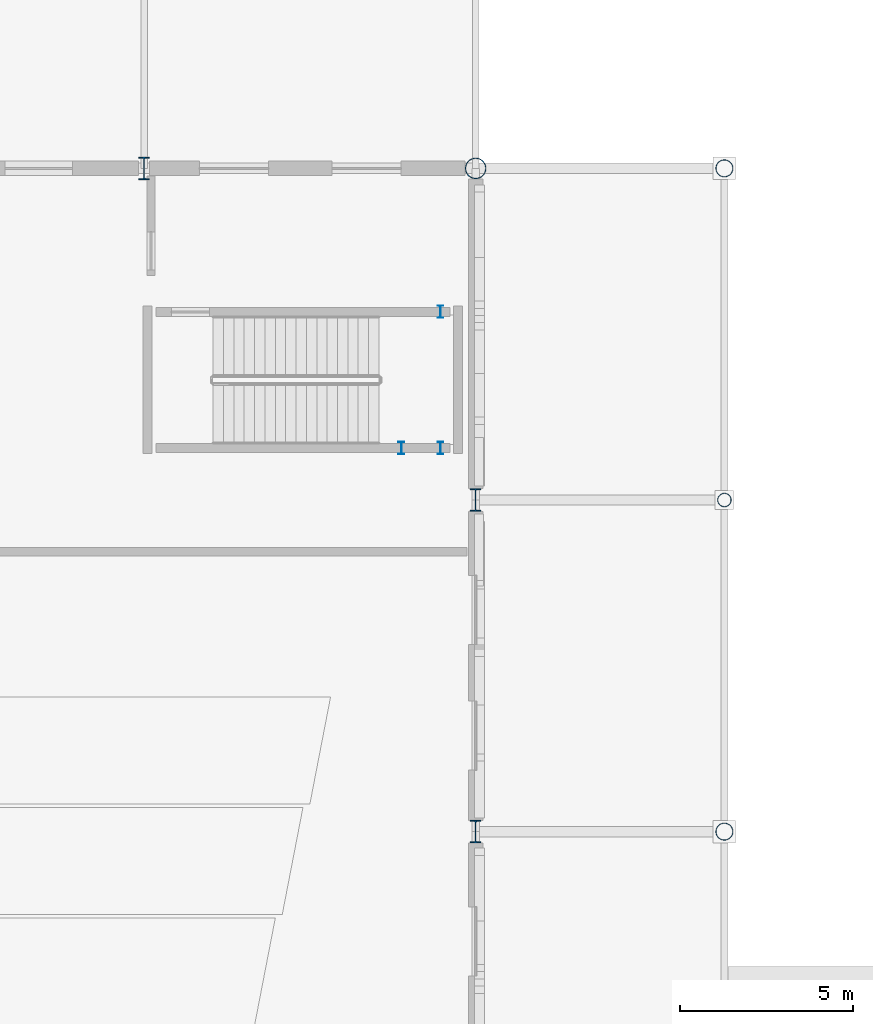
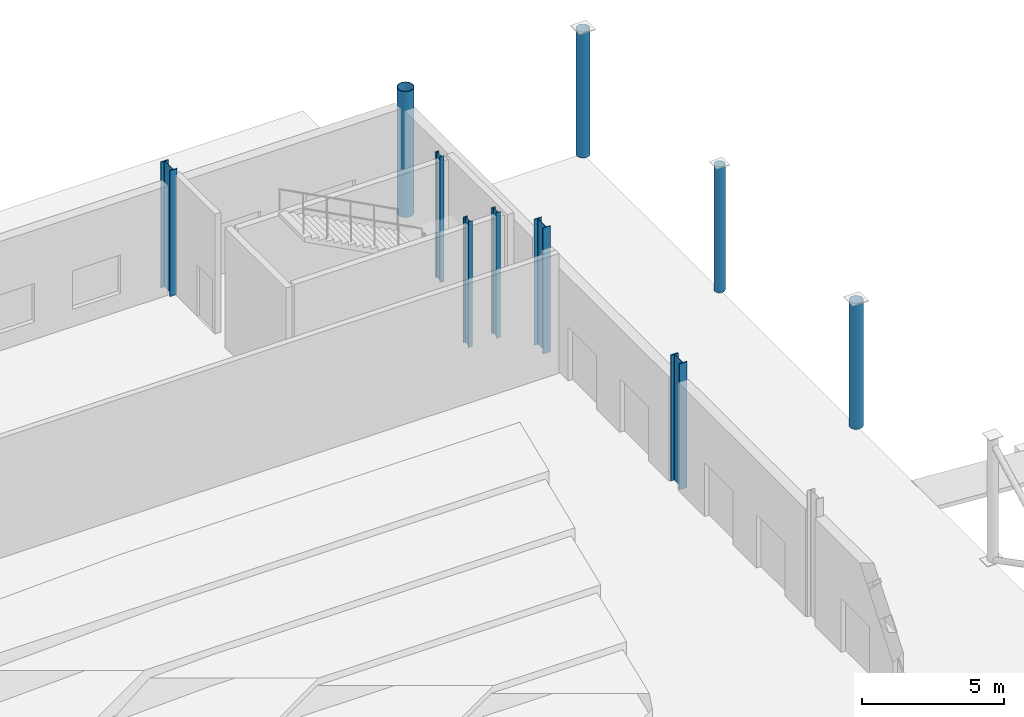
# One storey, part 27 of 84: 10 columns.
"""IFC4 building model written with IfcOpenShell, lengths in metres."""

from ifc_helpers import new_model, si_unit, direction, frame, origin, origin_2d, place, context, subcontext, project, spatial, hollow_circle, i_section, extrude, material, material_profile, profile_set, type_object, element, save


model = new_model("IFC4")

# Units and contexts
model_context = context("Model", 3, precision=1e-05, world=origin(), true_north=direction((0.0, 1.0)))
body_context = subcontext(model_context, "Body", "Model", "MODEL_VIEW")
ifc_project = project(units=[si_unit("LENGTHUNIT", "METRE"), si_unit("AREAUNIT", "SQUARE_METRE"), si_unit("VOLUMEUNIT", "CUBIC_METRE"), si_unit("PLANEANGLEUNIT", "RADIAN"), si_unit("MASSUNIT", "GRAM", prefix="KILO")], contexts=[model_context])

# Site, building, storey
site_placement = place(None, origin())
site = spatial("IfcSite", under=ifc_project, at=site_placement, CompositionType="ELEMENT")
building_placement = place(site_placement, origin())
building = spatial("IfcBuilding", under=site, at=building_placement, Name="Zevrakil Square Congress Hotel", CompositionType="ELEMENT")
storey_placement = place(building_placement, origin())
storey = spatial("IfcBuildingStorey", under=building, at=storey_placement, Name="L01", CompositionType="ELEMENT", Elevation=0.0)

# Columns
ifc_material_1 = material(Name="Steel S355", Category="steel")
ifc_material_profile_1 = material_profile(ifc_material_1, hollow_circle(Radius=0.203125, WallThickness=0.02001953125, at=origin_2d()), Name="CHS 406.4x20")
ifc_profile_set_1 = profile_set([ifc_material_profile_1], Name="Steel S355")
column_type_1 = type_object("IfcColumnType", Name="COL-CHS406", PredefinedType="COLUMN", material=ifc_profile_set_1)
column_1_placement = place(storey_placement, frame((172.800048828125, 103.199951171875, 0.0), z_axis=(0.0, 0.0, 1.0), x_axis=(1.0, 0.0, 0.0)))
element("IfcColumn", 1, at=column_1_placement, inside=storey, type_object=column_type_1, Name="L01 column C-253", PredefinedType="COLUMN", context=body_context, shape_type="SweptSolid", body=[
    extrude(hollow_circle(Radius=0.203125, WallThickness=0.02001953125, at=origin_2d()), origin(), (0.0, 0.0, 1.0), 5.39990234375),
])
ifc_material_2 = material(Name="Steel S355", Category="steel")
ifc_material_profile_2 = material_profile(ifc_material_2, hollow_circle(Radius=0.25390625, WallThickness=0.02001953125, at=origin_2d()), Name="CHS 508x20")
ifc_profile_set_2 = profile_set([ifc_material_profile_2], Name="Steel S355")
column_type_2 = type_object("IfcColumnType", Name="COL-CHS508", PredefinedType="COLUMN", material=ifc_profile_set_2)
for number, where, z_axis, x_axis, name in (
    (2, (172.800048828125, 93.60009765625, 0.0), (0.0, 0.0, 1.0), (1.0, 0.0, 0.0), "L01 column C-252"),
    (3, (172.800048828125, 112.800048828125, 0.0), (0.0, 0.0, 1.0), (1.0, 0.0, 0.0), "L01 column C-254"),
):
    element("IfcColumn", number, at=place(storey_placement, frame(where, z_axis=z_axis, x_axis=x_axis)), inside=storey, type_object=column_type_2, Name=name, PredefinedType="COLUMN", context=body_context, shape_type="SweptSolid", body=[
        extrude(hollow_circle(Radius=0.25390625, WallThickness=0.02001953125, at=origin_2d()), origin(), (0.0, 0.0, 1.0), 5.39990234375),
    ])
ifc_material_3 = material(Name="Steel S355", Category="steel")
ifc_material_profile_3 = material_profile(ifc_material_3, hollow_circle(Radius=0.304931640625, WallThickness=0.02490234375, at=origin_2d()), Name="CHS 610x25")
ifc_profile_set_3 = profile_set([ifc_material_profile_3], Name="Steel S355")
column_type_3 = type_object("IfcColumnType", Name="COL-CHS610", PredefinedType="COLUMN", material=ifc_profile_set_3)
column_2_placement = place(storey_placement, frame((165.60009765625, 112.800048828125, 0.0), z_axis=(0.0, 0.0, 1.0), x_axis=(1.0, 0.0, 0.0)))
element("IfcColumn", 4, at=column_2_placement, inside=storey, type_object=column_type_3, Name="L01 column C-240", PredefinedType="COLUMN", context=body_context, shape_type="SweptSolid", body=[
    extrude(hollow_circle(Radius=0.304931640625, WallThickness=0.02490234375, at=origin_2d()), origin(), (0.0, 0.0, 1.0), 5.39990234375),
])
ifc_material_4 = material(Name="Steel S355", Category="steel")
ifc_material_profile_4 = material_profile(ifc_material_4, i_section(OverallWidth=0.300048828125, OverallDepth=0.64990234375, WebThickness=0.01611328125, FlangeThickness=0.031005859375, FilletRadius=0.027099609375, at=origin_2d()), Name="HEB 650")
ifc_profile_set_4 = profile_set([ifc_material_profile_4], Name="Steel S355")
column_type_4 = type_object("IfcColumnType", Name="COL-HEB650", PredefinedType="COLUMN", material=ifc_profile_set_4)
for number, where, z_axis, x_axis, name in (
    (5, (156.0, 112.800048828125, 0.0), (0.0, 0.0, 1.0), (1.0, 0.0, 0.0), "L01 column C-227"),
    (6, (165.60009765625, 93.60009765625, 0.0), (0.0, 0.0, 1.0), (1.0, 0.0, 0.0), "L01 column C-238"),
    (7, (165.60009765625, 103.199951171875, 0.0), (0.0, 0.0, 1.0), (1.0, 0.0, 0.0), "L01 column C-239"),
):
    element("IfcColumn", number, at=place(storey_placement, frame(where, z_axis=z_axis, x_axis=x_axis)), inside=storey, type_object=column_type_4, Name=name, PredefinedType="COLUMN", context=body_context, shape_type="SweptSolid", body=[
        extrude(i_section(OverallWidth=0.300048828125, OverallDepth=0.64990234375, WebThickness=0.01611328125, FlangeThickness=0.031005859375, FilletRadius=0.027099609375, at=origin_2d()), origin(), (0.0, 0.0, 1.0), 5.39990234375),
    ])
ifc_material_5 = material(Name="Steel S355", Category="steel")
ifc_material_profile_5 = material_profile(ifc_material_5, i_section(OverallWidth=0.169921875, OverallDepth=0.360107421875, WebThickness=0.008056640625, FlangeThickness=0.0126953125, FilletRadius=0.01806640625, at=origin_2d()), Name="IPE 360")
ifc_profile_set_5 = profile_set([ifc_material_profile_5], Name="Steel S355")
column_type_5 = type_object("IfcColumnType", Name="COL-PILASTER-SHS180", PredefinedType="PILASTER", material=ifc_profile_set_5)
for number, where, z_axis, x_axis, name in (
    (8, (163.449951171875, 104.699951171875, 0.0), (0.0, 0.0, 1.0), (1.0, 0.0, 0.0), "L01 ST10 stair shaft post 1"),
    (9, (164.580078125, 104.699951171875, 0.0), (0.0, 0.0, 1.0), (1.0, 0.0, 0.0), "L01 ST10 stair shaft post 2"),
    (10, (164.580078125, 108.64990234375, 0.0), (0.0, 0.0, 1.0), (1.0, 0.0, 0.0), "L01 ST10 stair shaft post 3"),
):
    element("IfcColumn", number, at=place(storey_placement, frame(where, z_axis=z_axis, x_axis=x_axis)), inside=storey, type_object=column_type_5, Name=name, PredefinedType="PILASTER", context=body_context, shape_type="SweptSolid", body=[
        extrude(i_section(OverallWidth=0.169921875, OverallDepth=0.360107421875, WebThickness=0.008056640625, FlangeThickness=0.0126953125, FilletRadius=0.01806640625, at=origin_2d()), origin(), (0.0, 0.0, 1.0), 5.39990234375),
    ])

save(model, "model.ifc")
